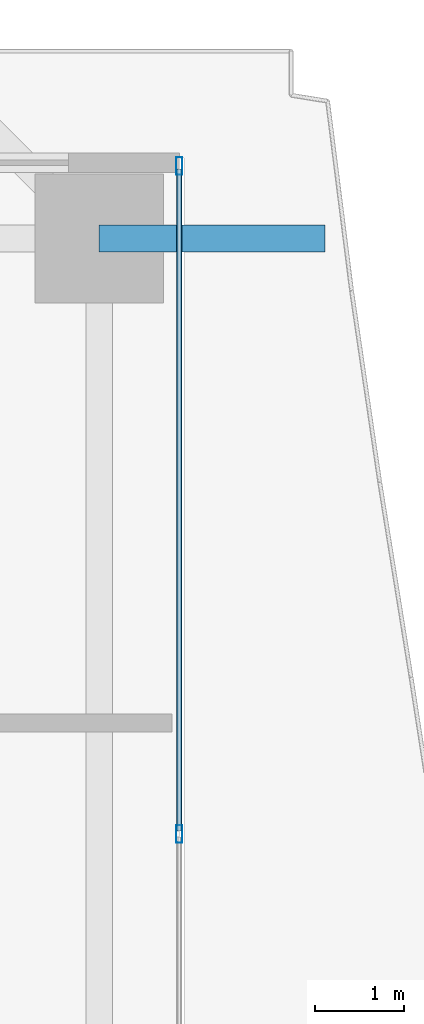
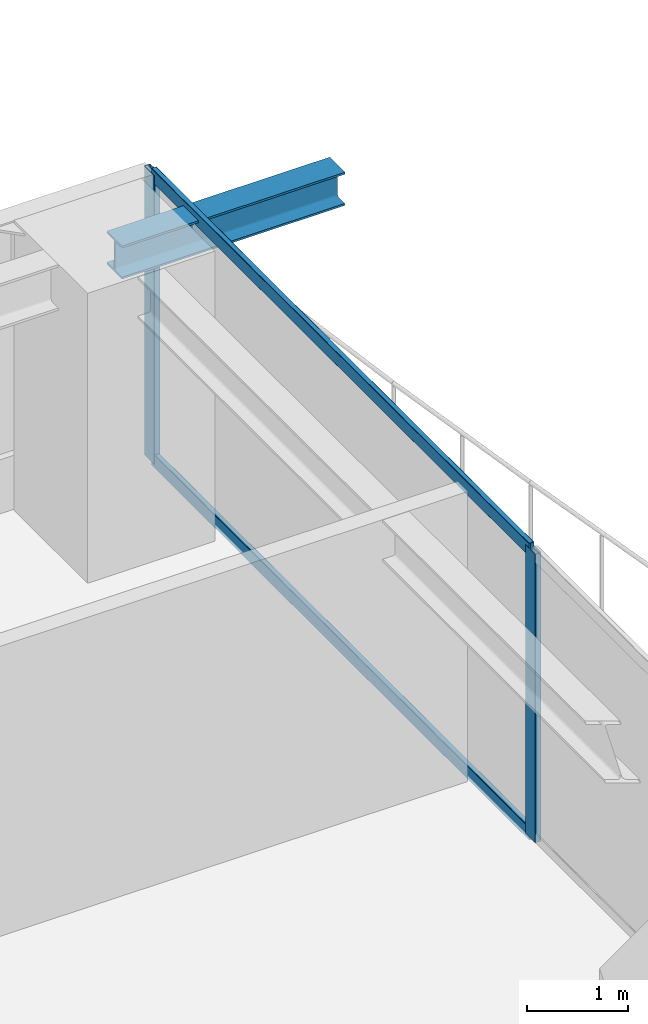
# One storey, part 23 of 39: 4 members, 1 beam, 1 element without a shape of its own.
"""IFC4 building model written with IfcOpenShell, lengths in metres."""

import ifcopenshell
import ifcopenshell.guid

model = None  # the IFC model being written
_history = None  # IfcOwnerHistory: only IFC2X3 demands one
_inside = {}  # id of a spatial element -> (the spatial element, [elements in it])
_under = {}  # id of a project, library or spatial element -> (it, [spatial elements below it])
_declared = {}  # id of a project -> (the project, [libraries it declares])
_typed = {}  # id of a type object -> (the type object, [elements of that type])
_made_of = {}  # id of a material, layer set ... -> (it, [elements and type objects made of it])


def new_model(schema):
    """Start an empty IFC model of exactly this schema.

    Asked for "IFC4X3", IfcOpenShell would pick the latest addendum, in which some entities
    have other attributes; the version numbers below select the first issue.
    IFC2X3 requires an IfcOwnerHistory on every rooted entity: one is made here for all.
    """
    global model, _history
    if schema == "IFC4X3":
        model = ifcopenshell.file(schema_version=(4, 3, 0, 0))
    else:
        model = ifcopenshell.file(schema=schema)
    _inside.clear()
    _under.clear()
    _declared.clear()
    _typed.clear()
    _made_of.clear()
    _history = None
    if model.schema == "IFC2X3":
        org = make("IfcOrganization", Name="unknown")
        user = make(
            "IfcPersonAndOrganization",
            ThePerson=make("IfcPerson", FamilyName="unknown"),
            TheOrganization=org,
        )
        app = make(
            "IfcApplication",
            ApplicationDeveloper=org,
            Version="unknown",
            ApplicationFullName="unknown",
            ApplicationIdentifier="unknown",
        )
        _history = make(
            "IfcOwnerHistory",
            OwningUser=user,
            OwningApplication=app,
            ChangeAction="ADDED",
            CreationDate=0,
        )
    return model


def make(cls, **values):
    """One entity of the class cls with the attributes given. An attribute that is None is left unset."""
    return model.create_entity(
        cls, **{name: value for name, value in values.items() if value is not None}
    )


def rooted(cls, **values):
    """An entity with a GlobalId (a new one), such as an element, a storey or a relation."""
    return make(cls, GlobalId=ifcopenshell.guid.new(), OwnerHistory=_history, **values)


def si_unit(unit_type, name, prefix=None):
    """IfcSIUnit, for example si_unit("LENGTHUNIT", "METRE", prefix="MILLI")."""
    return make("IfcSIUnit", UnitType=unit_type, Prefix=prefix, Name=name)


def assignment(units):
    """IfcUnitAssignment: the units of a project."""
    return None if units is None else make("IfcUnitAssignment", Units=units)


def point(xyz):
    """IfcCartesianPoint."""
    return None if xyz is None else make("IfcCartesianPoint", Coordinates=xyz)


def direction(xyz):
    """IfcDirection."""
    return None if xyz is None else make("IfcDirection", DirectionRatios=xyz)


def frame(location, z_axis=None, x_axis=None):
    """IfcAxis2Placement3D, a coordinate frame: its origin and axes. An axis left out is left unset."""
    return make(
        "IfcAxis2Placement3D",
        Location=point(location),
        Axis=direction(z_axis),
        RefDirection=direction(x_axis),
    )


def frame_2d(location, x_axis=None):
    """IfcAxis2Placement2D, a coordinate frame in the plane: its origin and x axis."""
    return make(
        "IfcAxis2Placement2D", Location=point(location), RefDirection=direction(x_axis)
    )


def origin():
    """The frame at (0, 0, 0) with its axes left unset."""
    return frame((0.0, 0.0, 0.0))


def origin_2d():
    """The frame at (0, 0) in the plane with its x axis left unset."""
    return frame_2d((0.0, 0.0))


def place(relative_to, where):
    """IfcLocalPlacement: puts the frame where relative to a parent placement (None: the world)."""
    return make(
        "IfcLocalPlacement", PlacementRelTo=relative_to, RelativePlacement=where
    )


def context(
    kind, dimensions, precision=None, world=None, true_north=None, identifier=None
):
    """IfcGeometricRepresentationContext, for example the 3D "Model" context."""
    return make(
        "IfcGeometricRepresentationContext",
        ContextIdentifier=identifier,
        ContextType=kind,
        CoordinateSpaceDimension=dimensions,
        Precision=precision,
        WorldCoordinateSystem=world,
        TrueNorth=true_north,
    )


def subcontext(parent, identifier, kind, view, scale=None):
    """IfcGeometricRepresentationSubContext, for example "Body" below "Model"."""
    return make(
        "IfcGeometricRepresentationSubContext",
        ContextIdentifier=identifier,
        ContextType=kind,
        ParentContext=parent,
        TargetScale=scale,
        TargetView=view,
    )


def project(units=None, contexts=None):
    """IfcProject with its units and contexts."""
    return rooted(
        "IfcProject",
        Name="project",
        RepresentationContexts=contexts,
        UnitsInContext=assignment(units),
    )


def spatial(cls, under=None, at=None, **own):
    """A site, building, storey or space (cls), placed at a placement, below another one or the project."""
    s = rooted(cls, ObjectPlacement=at, **own)
    if under is not None:
        _under.setdefault(under.id(), (under, []))[1].append(s)
    return s


def profile(cls, at=None, kind="AREA", **sizes):
    """A parametric profile (cls). Its sizes go by their IFC names, for example OverallWidth=200.0."""
    return make(cls, ProfileType=kind, Position=at, **sizes)


def hollow_rectangle(**sizes):
    """IfcRectangleHollowProfileDef."""
    return profile("IfcRectangleHollowProfileDef", **sizes)


def i_section(**sizes):
    """IfcIShapeProfileDef."""
    return profile("IfcIShapeProfileDef", **sizes)


def extrude(swept, where, along, depth):
    """IfcExtrudedAreaSolid: the profile swept, set in the frame where, extruded along a direction by depth."""
    return make(
        "IfcExtrudedAreaSolid",
        SweptArea=swept,
        Position=where,
        ExtrudedDirection=direction(along),
        Depth=depth,
    )


def shape(context_of_items, identifier, shape_type, items):
    """IfcShapeRepresentation: the items that make up one representation, for example the "Body"."""
    return make(
        "IfcShapeRepresentation",
        ContextOfItems=context_of_items,
        RepresentationIdentifier=identifier,
        RepresentationType=shape_type,
        Items=items,
    )


def source(mapping_origin, context_of_items, identifier, shape_type, items):
    """IfcRepresentationMap: a shape defined once, which mapped items show again and again."""
    return make(
        "IfcRepresentationMap",
        MappingOrigin=mapping_origin,
        MappedRepresentation=shape(context_of_items, identifier, shape_type, items),
    )


def transform(
    local_origin,
    x_axis=None,
    y_axis=None,
    z_axis=None,
    scale=None,
    scale2=None,
    scale3=None,
    uniform=True,
):
    """IfcCartesianTransformationOperator3D, or its non-uniform kind. x_axis, y_axis, z_axis: its Axis1, 2, 3."""
    if uniform:
        return make(
            "IfcCartesianTransformationOperator3D",
            Axis1=direction(x_axis),
            Axis2=direction(y_axis),
            LocalOrigin=point(local_origin),
            Scale=scale,
            Axis3=direction(z_axis),
        )
    return make(
        "IfcCartesianTransformationOperator3DnonUniform",
        Axis1=direction(x_axis),
        Axis2=direction(y_axis),
        LocalOrigin=point(local_origin),
        Scale=scale,
        Axis3=direction(z_axis),
        Scale2=scale2,
        Scale3=scale3,
    )


def mapped(mapping_source, mapping_target):
    """IfcMappedItem: shows the shape of a source again, moved by a transform."""
    return make(
        "IfcMappedItem", MappingSource=mapping_source, MappingTarget=mapping_target
    )


def material(Name=None, Category=None):
    """IfcMaterial."""
    return make("IfcMaterial", Name=Name, Category=Category)


def layer(
    of_material, thickness, ventilated=None, Name=None, Category=None, Priority=None
):
    """IfcMaterialLayer: one layer of a wall or slab, of a material (None: an air gap)."""
    return make(
        "IfcMaterialLayer",
        Material=of_material,
        LayerThickness=thickness,
        IsVentilated=ventilated,
        Name=Name,
        Category=Category,
        Priority=Priority,
    )


def layer_set(layers, Name=None):
    """IfcMaterialLayerSet."""
    return make("IfcMaterialLayerSet", MaterialLayers=layers, LayerSetName=Name)


def material_profile(
    of_material, cross_section, Name=None, Category=None, Priority=None
):
    """IfcMaterialProfile: a cross section and its material."""
    return make(
        "IfcMaterialProfile",
        Name=Name,
        Material=of_material,
        Profile=cross_section,
        Priority=Priority,
        Category=Category,
    )


def profile_set(profiles, Name=None, composite=None):
    """IfcMaterialProfileSet."""
    return make(
        "IfcMaterialProfileSet",
        Name=Name,
        MaterialProfiles=profiles,
        CompositeProfile=composite,
    )


def made_of(thing, what):
    """Note that an element or type object is made of a material, layer set ...; save() writes the relation."""
    if what is not None:
        _made_of.setdefault(what.id(), (what, []))[1].append(thing)
    return thing


def type_object(cls, material=None, **own):
    """A type object (cls), such as IfcWallType, which elements share."""
    return made_of(rooted(cls, **own), material)


def element(
    cls,
    number,
    at=None,
    inside=None,
    cuts=None,
    type_object=None,
    material=None,
    context=None,
    identifier="Body",
    shape_type=None,
    held_by="IfcProductDefinitionShape",
    body=None,
    shapes=None,
    **own,
):
    """One element of the class cls, such as IfcWall. Its Tag is "e" and its number.

    at: its placement. inside: the storey or other place that contains it. cuts: it is an
    opening in that element (IfcRelVoidsElement). A single representation is given by context,
    identifier, shape_type and body (its items); several are given by shapes. held_by: the class
    of the entity that holds the representations. save() writes the other relations.
    """
    e = rooted(cls, Tag="e%d" % number, ObjectPlacement=at, **own)
    if body is not None:
        shapes = [shape(context, identifier, shape_type, body)]
    if shapes is not None:
        e.Representation = make(held_by, Representations=shapes)
    if inside is not None:
        _inside.setdefault(inside.id(), (inside, []))[1].append(e)
    if cuts is not None:
        rooted(
            "IfcRelVoidsElement", RelatingBuildingElement=cuts, RelatedOpeningElement=e
        )
    if type_object is not None:
        _typed.setdefault(type_object.id(), (type_object, []))[1].append(e)
    return made_of(e, material)


def aggregate(whole, parts):
    """IfcRelAggregates: a whole, such as a stair, and the parts it consists of."""
    return rooted("IfcRelAggregates", RelatingObject=whole, RelatedObjects=parts)


def save(model, path):
    """Write the relations noted so far, then the file.

    IfcRelAggregates (storeys below a building ...), IfcRelContainedInSpatialStructure (elements
    in a storey), IfcRelDefinesByType, IfcRelAssociatesMaterial and IfcRelDeclares: one each for
    every whole, place, type object, material and project.
    """
    for whole, parts in _under.values():
        aggregate(whole, parts)
    for where, things in _inside.values():
        rooted(
            "IfcRelContainedInSpatialStructure",
            RelatedElements=things,
            RelatingStructure=where,
        )
    for kind, things in _typed.values():
        rooted("IfcRelDefinesByType", RelatedObjects=things, RelatingType=kind)
    for what, things in _made_of.values():
        rooted("IfcRelAssociatesMaterial", RelatedObjects=things, RelatingMaterial=what)
    for by, libraries in _declared.values():
        rooted("IfcRelDeclares", RelatingContext=by, RelatedDefinitions=libraries)
    model.write(path)


model = new_model("IFC4")

# Units and contexts
model_context = context("Model", 3, precision=1e-05, world=origin(), true_north=direction((0.0, 1.0)))
body_context = subcontext(model_context, "Body", "Model", "MODEL_VIEW")
ifc_project = project(units=[si_unit("LENGTHUNIT", "METRE"), si_unit("AREAUNIT", "SQUARE_METRE"), si_unit("VOLUMEUNIT", "CUBIC_METRE"), si_unit("PLANEANGLEUNIT", "RADIAN"), si_unit("MASSUNIT", "GRAM", prefix="KILO")], contexts=[model_context])

# Site, building, storey
site_placement = place(None, origin())
site = spatial("IfcSite", under=ifc_project, at=site_placement, CompositionType="ELEMENT")
building_placement = place(site_placement, origin())
building = spatial("IfcBuilding", under=site, at=building_placement, Name="Serunith Strait Residences", CompositionType="ELEMENT")
storey_placement = place(building_placement, frame((0.0, 0.0, 94.199951171875)))
storey = spatial("IfcBuildingStorey", under=building, at=storey_placement, Name="L23", CompositionType="ELEMENT", Elevation=94.199951171875)

# Beam
ifc_material_1 = material(Name="Steel S355J2", Category="steel")
ifc_material_profile_1 = material_profile(ifc_material_1, i_section(OverallWidth=0.300048828125, OverallDepth=0.39990234375, WebThickness=0.013427734375, FlangeThickness=0.02392578125, FilletRadius=0.027099609375, at=origin_2d()), Name="HEB 400")
ifc_profile_set_1 = profile_set([ifc_material_profile_1], Name="Steel S355J2")
beam_type = type_object("IfcBeamType", Name="BM-HEB400", PredefinedType="BEAM", material=ifc_profile_set_1)
shared_shape_1 = source(origin(), body_context, "Body", "SweptSolid", [
    extrude(i_section(OverallWidth=0.300048828125, OverallDepth=0.39990234375, WebThickness=0.013427734375, FlangeThickness=0.02392578125, FilletRadius=0.027099609375, at=origin_2d()), origin(), (0.0, 0.0, 1.0), 2.537109375),
])
beam_placement = place(storey_placement, frame((57.89990234375, 40.949951171875, 3.257080078125), z_axis=(1.0, 0.0, 0.0), x_axis=(0.0, 1.0, 0.0)))
element("IfcBeam", 1, at=beam_placement, inside=storey, type_object=beam_type, Name="L24 Cantilevered Balcony Rib TC-E4", PredefinedType="BEAM", context=body_context, shape_type="MappedRepresentation", body=[
    mapped(shared_shape_1, transform((0.0, 0.0, 0.0), scale=1.0)),
])

# Curtain wall, members
ifc_material_2 = material(Name="Pale-Champagne Anodised Aluminium", Category="aluminium")
ifc_layer = layer(ifc_material_2, 0.199951171875, Name="Pale-Champagne Anodised Aluminium")
ifc_layer_set = layer_set([ifc_layer], Name="Pale-Champagne Anodised Aluminium")
curtain_wall_type = type_object("IfcCurtainWallType", Name="CW-SYS1", PredefinedType="NOTDEFINED", material=ifc_layer_set)
curtain_wall_placement = place(storey_placement, origin())
curtain_wall = element("IfcCurtainWall", 2, at=curtain_wall_placement, inside=storey, type_object=curtain_wall_type, Name="L23 E Unitised Fritted Curtain Wall", PredefinedType="NOTDEFINED")
ifc_material_profile_2 = material_profile(ifc_material_2, hollow_rectangle(XDim=0.070068359375, YDim=0.199951171875, WallThickness=0.00390625, InnerFilletRadius=0.006103515625, OuterFilletRadius=0.010009765625, at=origin_2d()), Name="ALU 200x70x4")
ifc_profile_set_2 = profile_set([ifc_material_profile_2], Name="Pale-Champagne Anodised Aluminium")
member_type_1 = type_object("IfcMemberType", Name="CW-SYS1-MULL", PredefinedType="MULLION", material=ifc_profile_set_2)
shared_shape_2 = source(origin(), body_context, "Body", "SweptSolid", [
    extrude(hollow_rectangle(XDim=0.070068359375, YDim=0.199951171875, WallThickness=0.00390625, InnerFilletRadius=0.006103515625, OuterFilletRadius=0.010009765625, at=origin_2d()), origin(), (0.0, 0.0, 1.0), 3.47509765625),
])
member_1_placement = place(storey_placement, frame((58.800048828125, 34.25, 0.0), z_axis=(0.0, 0.0, 1.0), x_axis=(-1.0, 0.0, 0.0)))
member_1 = element("IfcMember", 3, at=member_1_placement, type_object=member_type_1, Name="CW-1 mullion 2", PredefinedType="MULLION", context=body_context, shape_type="MappedRepresentation", body=[
    mapped(shared_shape_2, transform((0.0, 0.0, 0.0), scale=1.0)),
])
member_2_placement = place(storey_placement, frame((58.800048828125, 41.764892578125, 0.0), z_axis=(0.0, 0.0, 1.0), x_axis=(-1.0, 0.0, 0.0)))
member_2 = element("IfcMember", 4, at=member_2_placement, type_object=member_type_1, Name="CW-1 mullion 3", PredefinedType="MULLION", context=body_context, shape_type="MappedRepresentation", body=[
    mapped(shared_shape_2, transform((0.0, 0.0, 0.0), scale=1.0)),
])
ifc_material_profile_3 = material_profile(ifc_material_2, hollow_rectangle(XDim=0.06005859375, YDim=0.159912109375, WallThickness=0.00341796875, InnerFilletRadius=0.00537109375, OuterFilletRadius=0.0087890625, at=origin_2d()), Name="ALU 160x60x3.5")
ifc_profile_set_3 = profile_set([ifc_material_profile_3], Name="Pale-Champagne Anodised Aluminium")
member_type_2 = type_object("IfcMemberType", Name="CW-SYS1-TRAN", PredefinedType="USERDEFINED", material=ifc_profile_set_3)
shared_shape_3 = source(origin(), body_context, "Body", "SweptSolid", [
    extrude(hollow_rectangle(XDim=0.06005859375, YDim=0.159912109375, WallThickness=0.00341796875, InnerFilletRadius=0.00537109375, OuterFilletRadius=0.0087890625, at=origin_2d()), origin(), (0.0, 0.0, 1.0), 7.445068359375),
])
member_3_placement = place(storey_placement, frame((58.800048828125, 34.284912109375, 0.030029296875), z_axis=(0.0, 1.0, 0.0), x_axis=(-1.0, 0.0, 0.0)))
member_3 = element("IfcMember", 5, at=member_3_placement, type_object=member_type_2, Name="CW-1 transom 2.1", ObjectType="TRANSOM", PredefinedType="USERDEFINED", context=body_context, shape_type="MappedRepresentation", body=[
    mapped(shared_shape_3, transform((0.0, 0.0, 0.0), scale=1.0)),
])
member_4_placement = place(storey_placement, frame((58.800048828125, 34.284912109375, 3.445068359375), z_axis=(0.0, 1.0, 0.0), x_axis=(-1.0, 0.0, 0.0)))
member_4 = element("IfcMember", 6, at=member_4_placement, type_object=member_type_2, Name="CW-1 transom 2.2", ObjectType="TRANSOM", PredefinedType="USERDEFINED", context=body_context, shape_type="MappedRepresentation", body=[
    mapped(shared_shape_3, transform((0.0, 0.0, 0.0), scale=1.0)),
])
aggregate(curtain_wall, [member_1, member_2, member_3, member_4])

save(model, "model.ifc")
